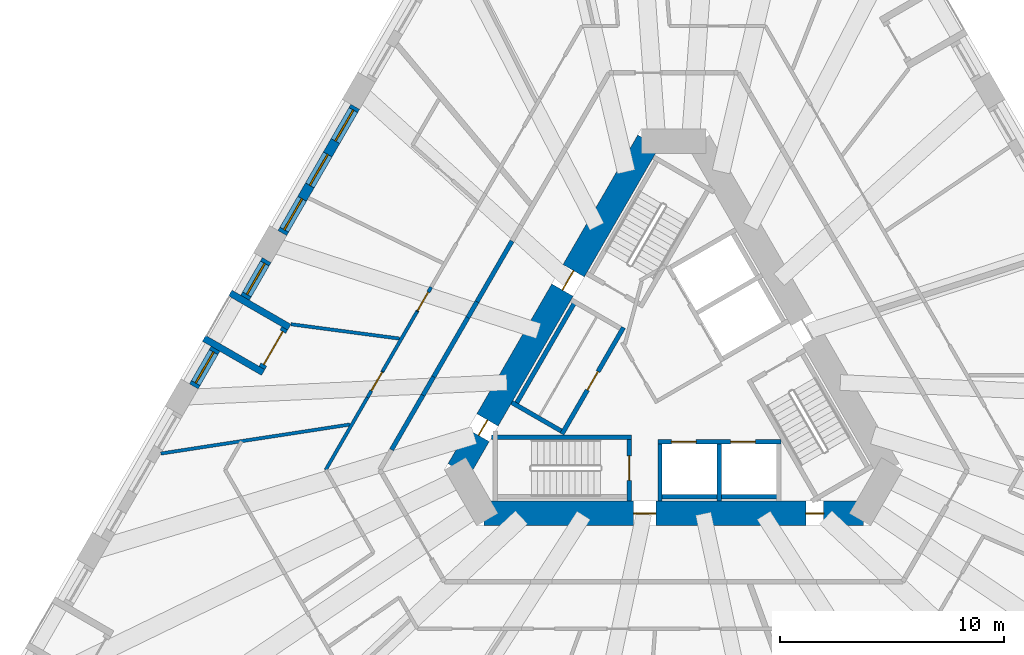
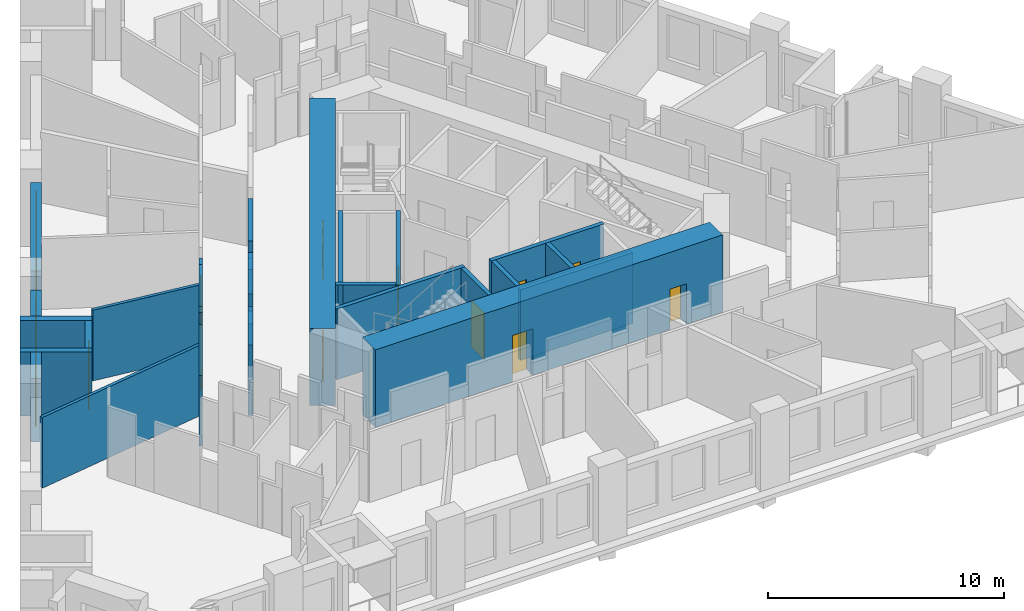
# One storey, part 4 of 14: 28 walls, 11 doors, 5 windows, 16 openings.
"""IFC4 building model written with IfcOpenShell, lengths in metres."""

import ifcopenshell
import ifcopenshell.guid

model = None  # the IFC model being written
_history = None  # IfcOwnerHistory: only IFC2X3 demands one
_inside = {}  # id of a spatial element -> (the spatial element, [elements in it])
_under = {}  # id of a project, library or spatial element -> (it, [spatial elements below it])
_declared = {}  # id of a project -> (the project, [libraries it declares])
_typed = {}  # id of a type object -> (the type object, [elements of that type])
_made_of = {}  # id of a material, layer set ... -> (it, [elements and type objects made of it])


def new_model(schema):
    """Start an empty IFC model of exactly this schema.

    Asked for "IFC4X3", IfcOpenShell would pick the latest addendum, in which some entities
    have other attributes; the version numbers below select the first issue.
    IFC2X3 requires an IfcOwnerHistory on every rooted entity: one is made here for all.
    """
    global model, _history
    if schema == "IFC4X3":
        model = ifcopenshell.file(schema_version=(4, 3, 0, 0))
    else:
        model = ifcopenshell.file(schema=schema)
    _inside.clear()
    _under.clear()
    _declared.clear()
    _typed.clear()
    _made_of.clear()
    _history = None
    if model.schema == "IFC2X3":
        org = make("IfcOrganization", Name="unknown")
        user = make(
            "IfcPersonAndOrganization",
            ThePerson=make("IfcPerson", FamilyName="unknown"),
            TheOrganization=org,
        )
        app = make(
            "IfcApplication",
            ApplicationDeveloper=org,
            Version="unknown",
            ApplicationFullName="unknown",
            ApplicationIdentifier="unknown",
        )
        _history = make(
            "IfcOwnerHistory",
            OwningUser=user,
            OwningApplication=app,
            ChangeAction="ADDED",
            CreationDate=0,
        )
    return model


def make(cls, **values):
    """One entity of the class cls with the attributes given. An attribute that is None is left unset."""
    return model.create_entity(
        cls, **{name: value for name, value in values.items() if value is not None}
    )


def rooted(cls, **values):
    """An entity with a GlobalId (a new one), such as an element, a storey or a relation."""
    return make(cls, GlobalId=ifcopenshell.guid.new(), OwnerHistory=_history, **values)


def si_unit(unit_type, name, prefix=None):
    """IfcSIUnit, for example si_unit("LENGTHUNIT", "METRE", prefix="MILLI")."""
    return make("IfcSIUnit", UnitType=unit_type, Prefix=prefix, Name=name)


def assignment(units):
    """IfcUnitAssignment: the units of a project."""
    return None if units is None else make("IfcUnitAssignment", Units=units)


def point(xyz):
    """IfcCartesianPoint."""
    return None if xyz is None else make("IfcCartesianPoint", Coordinates=xyz)


def direction(xyz):
    """IfcDirection."""
    return None if xyz is None else make("IfcDirection", DirectionRatios=xyz)


def frame(location, z_axis=None, x_axis=None):
    """IfcAxis2Placement3D, a coordinate frame: its origin and axes. An axis left out is left unset."""
    return make(
        "IfcAxis2Placement3D",
        Location=point(location),
        Axis=direction(z_axis),
        RefDirection=direction(x_axis),
    )


def frame_2d(location, x_axis=None):
    """IfcAxis2Placement2D, a coordinate frame in the plane: its origin and x axis."""
    return make(
        "IfcAxis2Placement2D", Location=point(location), RefDirection=direction(x_axis)
    )


def origin():
    """The frame at (0, 0, 0) with its axes left unset."""
    return frame((0.0, 0.0, 0.0))


def place(relative_to, where):
    """IfcLocalPlacement: puts the frame where relative to a parent placement (None: the world)."""
    return make(
        "IfcLocalPlacement", PlacementRelTo=relative_to, RelativePlacement=where
    )


def context(
    kind, dimensions, precision=None, world=None, true_north=None, identifier=None
):
    """IfcGeometricRepresentationContext, for example the 3D "Model" context."""
    return make(
        "IfcGeometricRepresentationContext",
        ContextIdentifier=identifier,
        ContextType=kind,
        CoordinateSpaceDimension=dimensions,
        Precision=precision,
        WorldCoordinateSystem=world,
        TrueNorth=true_north,
    )


def subcontext(parent, identifier, kind, view, scale=None):
    """IfcGeometricRepresentationSubContext, for example "Body" below "Model"."""
    return make(
        "IfcGeometricRepresentationSubContext",
        ContextIdentifier=identifier,
        ContextType=kind,
        ParentContext=parent,
        TargetScale=scale,
        TargetView=view,
    )


def project(units=None, contexts=None):
    """IfcProject with its units and contexts."""
    return rooted(
        "IfcProject",
        Name="project",
        RepresentationContexts=contexts,
        UnitsInContext=assignment(units),
    )


def spatial(cls, under=None, at=None, **own):
    """A site, building, storey or space (cls), placed at a placement, below another one or the project."""
    s = rooted(cls, ObjectPlacement=at, **own)
    if under is not None:
        _under.setdefault(under.id(), (under, []))[1].append(s)
    return s


def polyline(points):
    """IfcPolyline through the points."""
    return make("IfcPolyline", Points=[point(p) for p in points])


def profile(cls, at=None, kind="AREA", **sizes):
    """A parametric profile (cls). Its sizes go by their IFC names, for example OverallWidth=200.0."""
    return make(cls, ProfileType=kind, Position=at, **sizes)


def rectangle(**sizes):
    """IfcRectangleProfileDef."""
    return profile("IfcRectangleProfileDef", **sizes)


def outline(outer, holes=None, kind="AREA"):
    """IfcArbitraryClosedProfileDef: a profile drawn as a closed curve; with holes, ...WithVoids."""
    if holes is None:
        return make("IfcArbitraryClosedProfileDef", ProfileType=kind, OuterCurve=outer)
    return make(
        "IfcArbitraryProfileDefWithVoids",
        ProfileType=kind,
        OuterCurve=outer,
        InnerCurves=holes,
    )


def extrude(swept, where, along, depth):
    """IfcExtrudedAreaSolid: the profile swept, set in the frame where, extruded along a direction by depth."""
    return make(
        "IfcExtrudedAreaSolid",
        SweptArea=swept,
        Position=where,
        ExtrudedDirection=direction(along),
        Depth=depth,
    )


def shape(context_of_items, identifier, shape_type, items):
    """IfcShapeRepresentation: the items that make up one representation, for example the "Body"."""
    return make(
        "IfcShapeRepresentation",
        ContextOfItems=context_of_items,
        RepresentationIdentifier=identifier,
        RepresentationType=shape_type,
        Items=items,
    )


def material(Name=None, Category=None):
    """IfcMaterial."""
    return make("IfcMaterial", Name=Name, Category=Category)


def layer(
    of_material, thickness, ventilated=None, Name=None, Category=None, Priority=None
):
    """IfcMaterialLayer: one layer of a wall or slab, of a material (None: an air gap)."""
    return make(
        "IfcMaterialLayer",
        Material=of_material,
        LayerThickness=thickness,
        IsVentilated=ventilated,
        Name=Name,
        Category=Category,
        Priority=Priority,
    )


def layer_set(layers, Name=None):
    """IfcMaterialLayerSet."""
    return make("IfcMaterialLayerSet", MaterialLayers=layers, LayerSetName=Name)


def made_of(thing, what):
    """Note that an element or type object is made of a material, layer set ...; save() writes the relation."""
    if what is not None:
        _made_of.setdefault(what.id(), (what, []))[1].append(thing)
    return thing


def type_object(cls, material=None, **own):
    """A type object (cls), such as IfcWallType, which elements share."""
    return made_of(rooted(cls, **own), material)


def element(
    cls,
    number,
    at=None,
    inside=None,
    cuts=None,
    type_object=None,
    material=None,
    context=None,
    identifier="Body",
    shape_type=None,
    held_by="IfcProductDefinitionShape",
    body=None,
    shapes=None,
    **own,
):
    """One element of the class cls, such as IfcWall. Its Tag is "e" and its number.

    at: its placement. inside: the storey or other place that contains it. cuts: it is an
    opening in that element (IfcRelVoidsElement). A single representation is given by context,
    identifier, shape_type and body (its items); several are given by shapes. held_by: the class
    of the entity that holds the representations. save() writes the other relations.
    """
    e = rooted(cls, Tag="e%d" % number, ObjectPlacement=at, **own)
    if body is not None:
        shapes = [shape(context, identifier, shape_type, body)]
    if shapes is not None:
        e.Representation = make(held_by, Representations=shapes)
    if inside is not None:
        _inside.setdefault(inside.id(), (inside, []))[1].append(e)
    if cuts is not None:
        rooted(
            "IfcRelVoidsElement", RelatingBuildingElement=cuts, RelatedOpeningElement=e
        )
    if type_object is not None:
        _typed.setdefault(type_object.id(), (type_object, []))[1].append(e)
    return made_of(e, material)


def fill(opening, filler):
    """IfcRelFillsElement: the door or window that sits in an opening."""
    return rooted(
        "IfcRelFillsElement",
        RelatingOpeningElement=opening,
        RelatedBuildingElement=filler,
    )


def aggregate(whole, parts):
    """IfcRelAggregates: a whole, such as a stair, and the parts it consists of."""
    return rooted("IfcRelAggregates", RelatingObject=whole, RelatedObjects=parts)


def save(model, path):
    """Write the relations noted so far, then the file.

    IfcRelAggregates (storeys below a building ...), IfcRelContainedInSpatialStructure (elements
    in a storey), IfcRelDefinesByType, IfcRelAssociatesMaterial and IfcRelDeclares: one each for
    every whole, place, type object, material and project.
    """
    for whole, parts in _under.values():
        aggregate(whole, parts)
    for where, things in _inside.values():
        rooted(
            "IfcRelContainedInSpatialStructure",
            RelatedElements=things,
            RelatingStructure=where,
        )
    for kind, things in _typed.values():
        rooted("IfcRelDefinesByType", RelatedObjects=things, RelatingType=kind)
    for what, things in _made_of.values():
        rooted("IfcRelAssociatesMaterial", RelatedObjects=things, RelatingMaterial=what)
    for by, libraries in _declared.values():
        rooted("IfcRelDeclares", RelatingContext=by, RelatedDefinitions=libraries)
    model.write(path)


model = new_model("IFC4")

# Units and contexts
model_context = context("Model", 3, precision=1e-05, world=origin(), true_north=direction((0.0, 1.0)))
body_context = subcontext(model_context, "Body", "Model", "MODEL_VIEW")
ifc_project = project(units=[si_unit("LENGTHUNIT", "METRE"), si_unit("AREAUNIT", "SQUARE_METRE"), si_unit("VOLUMEUNIT", "CUBIC_METRE"), si_unit("PLANEANGLEUNIT", "RADIAN"), si_unit("MASSUNIT", "GRAM", prefix="KILO")], contexts=[model_context])

# Site, building, storey
site_placement = place(None, origin())
site = spatial("IfcSite", under=ifc_project, at=site_placement, CompositionType="ELEMENT")
building_placement = place(site_placement, origin())
building = spatial("IfcBuilding", under=site, at=building_placement, Name="Tramontana Tower", CompositionType="ELEMENT")
storey_placement = place(building_placement, frame((0.0, 0.0, 42.0)))
storey = spatial("IfcBuildingStorey", under=building, at=storey_placement, Name="L08", CompositionType="ELEMENT", Elevation=42.0)

# Wall, openings, doors
ifc_material_1 = material(Name="Concrete 70 MPa", Category="concrete")
ifc_layer_1 = layer(ifc_material_1, 1.10009765625)
ifc_layer_set_1 = layer_set([ifc_layer_1], Name="Core wall 1100 70 MPa")
wall_type_1 = type_object("IfcWallType", Name="Core wall 1100 70 MPa", PredefinedType="SHEAR", material=ifc_layer_set_1)
wall_1_placement = place(storey_placement, frame((-1.125732421875, 10.449951171875, 0.0), z_axis=(0.0, 0.0, 1.0), x_axis=(-0.500001757713, -0.866024388966, 0.0)))
wall_1 = element("IfcWall", 1, at=wall_1_placement, inside=storey, type_object=wall_type_1, Name="Core wall C1 L08", PredefinedType="SHEAR", context=body_context, shape_type="SweptSolid", body=[
    extrude(rectangle(XDim=16.97412109375, YDim=1.10009765625, at=frame_2d((8.487060546875, 0.0))), origin(), (0.0, 0.0, 1.0), 4.0),
])
opening_1_placement = place(wall_1_placement, frame((6.692138671875, 0.0, 0.0)))
opening_1 = element("IfcOpeningElement", 2, at=opening_1_placement, cuts=wall_1, Name="Opening RG1", PredefinedType="OPENING", context=body_context, shape_type="SweptSolid", body=[
    extrude(rectangle(XDim=1.0, YDim=2.39990234375, at=frame_2d((0.5, 1.199951171875))), frame((0.0, 0.56005859375, 0.0), z_axis=(0.0, -1.0, 0.0), x_axis=(1.0, 0.0, 0.0)), (0.0, 0.0, 1.0), 1.1201171875),
])
opening_2_placement = place(wall_1_placement, frame((14.397216796875, 0.0, 0.0)))
opening_2 = element("IfcOpeningElement", 3, at=opening_2_placement, cuts=wall_1, Name="Opening PD1", PredefinedType="OPENING", context=body_context, shape_type="SweptSolid", body=[
    extrude(rectangle(XDim=0.800048828125, YDim=2.10009765625, at=frame_2d((0.39990234375, 1.050048828125))), frame((0.0, 0.56005859375, 0.0), z_axis=(0.0, -1.0, 0.0), x_axis=(1.0, 0.0, 0.0)), (0.0, 0.0, 1.0), 1.1201171875),
])
ifc_material_2 = material(Name="Painted steel", Category="steel")
door_type_1 = type_object("IfcDoorType", Name="CUPBOARD DOOR 800", OperationType="SINGLE_SWING_LEFT", PredefinedType="DOOR", material=ifc_material_2)
door_1_placement = place(opening_2_placement, origin())
door_1 = element("IfcDoor", 4, at=door_1_placement, inside=storey, type_object=door_type_1, Name="Door PD1", OperationType="SINGLE_SWING_LEFT", OverallHeight=2.10009765625, OverallWidth=0.800048828125, PredefinedType="DOOR", context=body_context, shape_type="SweptSolid", body=[
    extrude(rectangle(XDim=0.800048828125, YDim=2.10009765625, at=frame_2d((0.39990234375, 1.050048828125))), frame((0.0, 0.02490234375, 0.0), z_axis=(0.0, -1.0, 0.0), x_axis=(1.0, 0.0, 0.0)), (0.0, 0.0, 1.0), 0.050048828125),
])
fill(opening_2, door_1)
ifc_material_3 = material(Name="Painted steel", Category="steel")
door_type_2 = type_object("IfcDoorType", Name="RING DOOR 1000", OperationType="SINGLE_SWING_LEFT", PredefinedType="DOOR", material=ifc_material_3)
door_2_placement = place(opening_1_placement, origin())
door_2 = element("IfcDoor", 5, at=door_2_placement, inside=storey, type_object=door_type_2, Name="Door RG1", OperationType="SINGLE_SWING_RIGHT", OverallHeight=2.39990234375, OverallWidth=1.0, PredefinedType="DOOR", context=body_context, shape_type="SweptSolid", body=[
    extrude(rectangle(XDim=1.0, YDim=2.39990234375, at=frame_2d((0.5, 1.199951171875))), frame((0.0, 0.02490234375, 0.0), z_axis=(0.0, -1.0, 0.0), x_axis=(1.0, 0.0, 0.0)), (0.0, 0.0, 1.0), 0.050048828125),
])
fill(opening_1, door_2)

wall_2_placement = place(storey_placement, frame((-8.487060546875, -6.199951171875, 0.0), z_axis=(0.0, 0.0, 1.0), x_axis=(1.0, 0.0, 0.0)))
wall_2 = element("IfcWall", 6, at=wall_2_placement, inside=storey, type_object=wall_type_1, Name="Core wall C3 L08", PredefinedType="SHEAR", context=body_context, shape_type="SweptSolid", body=[
    extrude(rectangle(XDim=16.97412109375, YDim=1.10009765625, at=frame_2d((8.487060546875, 0.0))), origin(), (0.0, 0.0, 1.0), 4.0),
])
opening_3_placement = place(wall_2_placement, frame((6.69189453125, 0.0, 0.0)))
opening_3 = element("IfcOpeningElement", 7, at=opening_3_placement, cuts=wall_2, Name="Opening RG2", PredefinedType="OPENING", context=body_context, shape_type="SweptSolid", body=[
    extrude(rectangle(XDim=1.0, YDim=2.39990234375, at=frame_2d((0.5, 1.199951171875))), frame((0.0, 0.56005859375, 0.0), z_axis=(0.0, -1.0, 0.0), x_axis=(1.0, 0.0, 0.0)), (0.0, 0.0, 1.0), 1.1201171875),
])
opening_4_placement = place(wall_2_placement, frame((14.39697265625, 0.0, 0.0)))
opening_4 = element("IfcOpeningElement", 8, at=opening_4_placement, cuts=wall_2, Name="Opening PD2", PredefinedType="OPENING", context=body_context, shape_type="SweptSolid", body=[
    extrude(rectangle(XDim=0.800048828125, YDim=2.10009765625, at=frame_2d((0.39990234375, 1.050048828125))), frame((0.0, 0.56005859375, 0.0), z_axis=(0.0, -1.0, 0.0), x_axis=(1.0, 0.0, 0.0)), (0.0, 0.0, 1.0), 1.1201171875),
])
door_3_placement = place(opening_4_placement, origin())
door_3 = element("IfcDoor", 9, at=door_3_placement, inside=storey, type_object=door_type_1, Name="Door PD2", OperationType="SINGLE_SWING_RIGHT", OverallHeight=2.10009765625, OverallWidth=0.800048828125, PredefinedType="DOOR", context=body_context, shape_type="SweptSolid", body=[
    extrude(rectangle(XDim=0.800048828125, YDim=2.10009765625, at=frame_2d((0.39990234375, 1.050048828125))), frame((0.0, 0.02490234375, 0.0), z_axis=(0.0, -1.0, 0.0), x_axis=(1.0, 0.0, 0.0)), (0.0, 0.0, 1.0), 0.050048828125),
])
fill(opening_4, door_3)
door_4_placement = place(opening_3_placement, origin())
door_4 = element("IfcDoor", 10, at=door_4_placement, inside=storey, type_object=door_type_2, Name="Door RG2", OperationType="SINGLE_SWING_LEFT", OverallHeight=2.39990234375, OverallWidth=1.0, PredefinedType="DOOR", context=body_context, shape_type="SweptSolid", body=[
    extrude(rectangle(XDim=1.0, YDim=2.39990234375, at=frame_2d((0.5, 1.199951171875))), frame((0.0, 0.02490234375, 0.0), z_axis=(0.0, -1.0, 0.0), x_axis=(1.0, 0.0, 0.0)), (0.0, 0.0, 1.0), 0.050048828125),
])
fill(opening_3, door_4)

# Walls
ifc_material_4 = material(Name="Blockwork", Category="masonry")
ifc_layer_2 = layer(ifc_material_4, 0.199951171875)
ifc_layer_set_2 = layer_set([ifc_layer_2], Name="ENTRY WALL 200")
wall_type_2 = type_object("IfcWallType", Name="ENTRY WALL 200", PredefinedType="SOLIDWALL", material=ifc_layer_set_2)
wall_3_placement = place(storey_placement, frame((-12.616943359375, -3.353515625, 0.0), z_axis=(0.0, 0.0, 1.0), x_axis=(0.49993514545, 0.866062844338, 0.0)))
element("IfcWall", 11, at=wall_3_placement, inside=storey, type_object=wall_type_2, Name="Wall v02-ew4-1", PredefinedType="SOLIDWALL", context=body_context, shape_type="SweptSolid", body=[
    extrude(rectangle(XDim=2.815185546875, YDim=0.199951171875, at=frame_2d((1.40771484375, 0.0))), origin(), (0.0, 0.0, 1.0), 3.64990234375),
])
wall_4_placement = place(storey_placement, frame((-11.20947265625, -0.915283203125, 0.0), z_axis=(0.0, 0.0, 1.0), x_axis=(0.500174821557, 0.865924446982, 0.0)))
element("IfcWall", 12, at=wall_4_placement, inside=storey, type_object=wall_type_2, Name="Wall v02-ew4-2", PredefinedType="SOLIDWALL", context=body_context, shape_type="SweptSolid", body=[
    extrude(rectangle(XDim=0.949951171875, YDim=0.199951171875, at=frame_2d((0.47509765625, 0.0))), origin(), (0.0, 0.0, 1.0), 2.75),
])
wall_5_placement = place(storey_placement, frame((-10.734375, -0.0927734375, 0.0), z_axis=(0.0, 0.0, 1.0), x_axis=(0.499952348839, 0.866052913447, 0.0)))
element("IfcWall", 13, at=wall_5_placement, inside=storey, type_object=wall_type_2, Name="Wall v02-ew4-3", PredefinedType="SOLIDWALL", context=body_context, shape_type="SweptSolid", body=[
    extrude(rectangle(XDim=3.064208984375, YDim=0.199951171875, at=frame_2d((1.5322265625, 0.0))), origin(), (0.0, 0.0, 1.0), 3.64990234375),
])
wall_6_placement = place(storey_placement, frame((-9.202392578125, 2.56103515625, 0.0), z_axis=(0.0, 0.0, 1.0), x_axis=(0.500118501653, 0.865956976012, 0.0)))
element("IfcWall", 14, at=wall_6_placement, inside=storey, type_object=wall_type_2, Name="Wall v02-ew4-4", PredefinedType="SOLIDWALL", context=body_context, shape_type="SweptSolid", body=[
    extrude(rectangle(XDim=0.818115234375, YDim=0.199951171875, at=frame_2d((0.4091796875, 0.0))), origin(), (0.0, 0.0, 1.0), 2.75),
])
wall_7_placement = place(storey_placement, frame((-8.793212890625, 3.26953125, 0.0), z_axis=(0.0, 0.0, 1.0), x_axis=(0.499947505232, 0.866055709532, 0.0)))
element("IfcWall", 15, at=wall_7_placement, inside=storey, type_object=wall_type_2, Name="Wall v02-ew4-5", PredefinedType="SOLIDWALL", context=body_context, shape_type="SweptSolid", body=[
    extrude(rectangle(XDim=3.130126953125, YDim=0.199951171875, at=frame_2d((1.56494140625, 0.0))), origin(), (0.0, 0.0, 1.0), 3.64990234375),
])

# Wall, openings, windows
ifc_material_5 = material(Name="Precast concrete 60 MPa", Category="concrete")
ifc_layer_3 = layer(ifc_material_5, 0.449951171875)
ifc_layer_set_3 = layer_set([ifc_layer_3], Name="Precast concrete 60 MPa, 450 mm")
wall_type_3 = type_object("IfcWallType", Name="EW1 Stone-faced precast wall 450", PredefinedType="SOLIDWALL", material=ifc_layer_set_3)
wall_8_placement = place(storey_placement, frame((-14.240478515625, 11.98486328125, 0.0), z_axis=(0.0, 0.0, 1.0), x_axis=(-0.500002371706, -0.866024034475, 0.0)))
wall_8 = element("IfcWall", 16, at=wall_8_placement, inside=storey, type_object=wall_type_3, Name="External wall L08 face 0 bay 4", PredefinedType="SOLIDWALL", context=body_context, shape_type="SweptSolid", body=[
    extrude(rectangle(XDim=6.51806640625, YDim=0.449951171875, at=frame_2d((3.259033203125, 0.0))), origin(), (0.0, 0.0, 1.0), 3.300048828125),
])
opening_5_placement = place(wall_8_placement, frame((0.169677734375, 0.0, 0.699951171875)))
opening_5 = element("IfcOpeningElement", 17, at=opening_5_placement, cuts=wall_8, Name="Opening M1", PredefinedType="OPENING", context=body_context, shape_type="SweptSolid", body=[
    extrude(rectangle(XDim=1.60009765625, YDim=2.300048828125, at=frame_2d((0.800048828125, 1.14990234375))), frame((0.0, 0.23486328125, 0.0), z_axis=(0.0, -1.0, 0.0), x_axis=(1.0, 0.0, 0.0)), (0.0, 0.0, 1.0), 0.469970703125),
])
opening_6_placement = place(wall_8_placement, frame((2.458984375, 0.0, 0.699951171875)))
opening_6 = element("IfcOpeningElement", 18, at=opening_6_placement, cuts=wall_8, Name="Opening M1", PredefinedType="OPENING", context=body_context, shape_type="SweptSolid", body=[
    extrude(rectangle(XDim=1.60009765625, YDim=2.300048828125, at=frame_2d((0.800048828125, 1.14990234375))), frame((0.0, 0.23486328125, 0.0), z_axis=(0.0, -1.0, 0.0), x_axis=(1.0, 0.0, 0.0)), (0.0, 0.0, 1.0), 0.469970703125),
])
opening_7_placement = place(wall_8_placement, frame((4.748291015625, 0.0, 0.699951171875)))
opening_7 = element("IfcOpeningElement", 19, at=opening_7_placement, cuts=wall_8, Name="Opening M1", PredefinedType="OPENING", context=body_context, shape_type="SweptSolid", body=[
    extrude(rectangle(XDim=1.60009765625, YDim=2.300048828125, at=frame_2d((0.800048828125, 1.14990234375))), frame((0.0, 0.23486328125, 0.0), z_axis=(0.0, -1.0, 0.0), x_axis=(1.0, 0.0, 0.0)), (0.0, 0.0, 1.0), 0.469970703125),
])
ifc_material_6 = material(Name="Aluminum frame, double glazing unit", Category="aluminium")
window_type = type_object("IfcWindowType", Name="M1 Window 1.6 x 2.3", PartitioningType="SINGLE_PANEL", PredefinedType="WINDOW", material=ifc_material_6)
window_1_placement = place(opening_5_placement, origin())
window_1 = element("IfcWindow", 20, at=window_1_placement, inside=storey, type_object=window_type, Name="Window M1 L08 face 0 module 10", OverallHeight=2.300048828125, OverallWidth=1.60009765625, PartitioningType="SINGLE_PANEL", PredefinedType="WINDOW", context=body_context, shape_type="SweptSolid", body=[
    extrude(rectangle(XDim=1.60009765625, YDim=2.300048828125, at=frame_2d((0.800048828125, 1.14990234375))), frame((0.0, 0.030029296875, 0.0), z_axis=(0.0, -1.0, 0.0), x_axis=(1.0, 0.0, 0.0)), (0.0, 0.0, 1.0), 0.06005859375),
])
fill(opening_5, window_1)
window_2_placement = place(opening_6_placement, origin())
window_2 = element("IfcWindow", 21, at=window_2_placement, inside=storey, type_object=window_type, Name="Window M1 L08 face 0 module 11", OverallHeight=2.300048828125, OverallWidth=1.60009765625, PartitioningType="SINGLE_PANEL", PredefinedType="WINDOW", context=body_context, shape_type="SweptSolid", body=[
    extrude(rectangle(XDim=1.60009765625, YDim=2.300048828125, at=frame_2d((0.800048828125, 1.14990234375))), frame((0.0, 0.030029296875, 0.0), z_axis=(0.0, -1.0, 0.0), x_axis=(1.0, 0.0, 0.0)), (0.0, 0.0, 1.0), 0.06005859375),
])
fill(opening_6, window_2)
window_3_placement = place(opening_7_placement, origin())
window_3 = element("IfcWindow", 22, at=window_3_placement, inside=storey, type_object=window_type, Name="Window M1 L08 face 0 module 12", OverallHeight=2.300048828125, OverallWidth=1.60009765625, PartitioningType="SINGLE_PANEL", PredefinedType="WINDOW", context=body_context, shape_type="SweptSolid", body=[
    extrude(rectangle(XDim=1.60009765625, YDim=2.300048828125, at=frame_2d((0.800048828125, 1.14990234375))), frame((0.0, 0.030029296875, 0.0), z_axis=(0.0, -1.0, 0.0), x_axis=(1.0, 0.0, 0.0)), (0.0, 0.0, 1.0), 0.06005859375),
])
fill(opening_7, window_3)

# Wall, opening, window
wall_9_placement = place(storey_placement, frame((-18.199462890625, 5.127685546875, 0.0), z_axis=(0.0, 0.0, 1.0), x_axis=(-0.499944052521, -0.866057702667, 0.0)))
wall_9 = element("IfcWall", 23, at=wall_9_placement, inside=storey, type_object=wall_type_3, Name="External wall L08 face 0 bay 5", PredefinedType="SOLIDWALL", context=body_context, shape_type="SweptSolid", body=[
    extrude(rectangle(XDim=1.939208984375, YDim=0.449951171875, at=frame_2d((0.9697265625, 0.0))), origin(), (0.0, 0.0, 1.0), 3.300048828125),
])
opening_8_placement = place(wall_9_placement, frame((0.169677734375, 0.0, 0.699951171875)))
opening_8 = element("IfcOpeningElement", 24, at=opening_8_placement, cuts=wall_9, Name="Opening M1", PredefinedType="OPENING", context=body_context, shape_type="SweptSolid", body=[
    extrude(rectangle(XDim=1.60009765625, YDim=2.300048828125, at=frame_2d((0.800048828125, 1.14990234375))), frame((0.0, 0.23486328125, 0.0), z_axis=(0.0, -1.0, 0.0), x_axis=(1.0, 0.0, 0.0)), (0.0, 0.0, 1.0), 0.469970703125),
])
window_4_placement = place(opening_8_placement, origin())
window_4 = element("IfcWindow", 25, at=window_4_placement, inside=storey, type_object=window_type, Name="Window M1 L08 face 0 module 13", OverallHeight=2.300048828125, OverallWidth=1.60009765625, PartitioningType="SINGLE_PANEL", PredefinedType="WINDOW", context=body_context, shape_type="SweptSolid", body=[
    extrude(rectangle(XDim=1.60009765625, YDim=2.300048828125, at=frame_2d((0.800048828125, 1.14990234375))), frame((0.0, 0.030029296875, 0.0), z_axis=(0.0, -1.0, 0.0), x_axis=(1.0, 0.0, 0.0)), (0.0, 0.0, 1.0), 0.06005859375),
])
fill(opening_8, window_4)

wall_10_placement = place(storey_placement, frame((-20.48876953125, 1.16259765625, 0.0), z_axis=(0.0, 0.0, 1.0), x_axis=(-0.49998396455, -0.866034661658, 0.0)))
wall_10 = element("IfcWall", 26, at=wall_10_placement, inside=storey, type_object=wall_type_3, Name="External wall L08 face 0 bay 5", PredefinedType="SOLIDWALL", context=body_context, shape_type="SweptSolid", body=[
    extrude(rectangle(XDim=1.939453125, YDim=0.449951171875, at=frame_2d((0.9697265625, 0.0))), origin(), (0.0, 0.0, 1.0), 3.300048828125),
])
opening_9_placement = place(wall_10_placement, frame((0.169677734375, 0.0, 0.699951171875)))
opening_9 = element("IfcOpeningElement", 27, at=opening_9_placement, cuts=wall_10, Name="Opening M1", PredefinedType="OPENING", context=body_context, shape_type="SweptSolid", body=[
    extrude(rectangle(XDim=1.60009765625, YDim=2.300048828125, at=frame_2d((0.800048828125, 1.14990234375))), frame((0.0, 0.23486328125, 0.0), z_axis=(0.0, -1.0, 0.0), x_axis=(1.0, 0.0, 0.0)), (0.0, 0.0, 1.0), 0.469970703125),
])
window_5_placement = place(opening_9_placement, origin())
window_5 = element("IfcWindow", 28, at=window_5_placement, inside=storey, type_object=window_type, Name="Window M1 L08 face 0 module 15", OverallHeight=2.300048828125, OverallWidth=1.60009765625, PartitioningType="SINGLE_PANEL", PredefinedType="WINDOW", context=body_context, shape_type="SweptSolid", body=[
    extrude(rectangle(XDim=1.60009765625, YDim=2.300048828125, at=frame_2d((0.800048828125, 1.14990234375))), frame((0.0, 0.030029296875, 0.0), z_axis=(0.0, -1.0, 0.0), x_axis=(1.0, 0.0, 0.0)), (0.0, 0.0, 1.0), 0.06005859375),
])
fill(opening_9, window_5)

# Wall, opening, door
ifc_material_7 = material(Name="Precast concrete 60 MPa", Category="concrete")
ifc_layer_4 = layer(ifc_material_7, 0.300048828125)
ifc_layer_set_4 = layer_set([ifc_layer_4], Name="LW1 Stone-faced loggia wall 300")
wall_type_4 = type_object("IfcWallType", Name="LW1 Stone-faced loggia wall 300", PredefinedType="SOLIDWALL", material=ifc_layer_set_4)
wall_11_placement = place(storey_placement, frame((-17.39208984375, 2.075927734375, 0.0), z_axis=(0.0, 0.0, 1.0), x_axis=(-0.500040236659, -0.866002171892, 0.0)))
wall_11 = element("IfcWall", 29, at=wall_11_placement, inside=storey, type_object=wall_type_4, Name="Loggia wall L08 G0S0.13", PredefinedType="SOLIDWALL", context=body_context, shape_type="SweptSolid", body=[
    extrude(rectangle(XDim=2.039306640625, YDim=0.300048828125, at=frame_2d((1.01953125, 0.0))), origin(), (0.0, 0.0, 1.0), 3.300048828125),
])
opening_10_placement = place(wall_11_placement, frame((0.169677734375, 0.0, 0.0)))
opening_10 = element("IfcOpeningElement", 30, at=opening_10_placement, cuts=wall_11, Name="Opening BD-0S0-13", PredefinedType="OPENING", context=body_context, shape_type="SweptSolid", body=[
    extrude(rectangle(XDim=1.699951171875, YDim=2.39990234375, at=frame_2d((0.85009765625, 1.199951171875))), frame((0.0, 0.159912109375, 0.0), z_axis=(0.0, -1.0, 0.0), x_axis=(1.0, 0.0, 0.0)), (0.0, 0.0, 1.0), 0.320068359375),
])
ifc_material_8 = material(Name="Aluminum frame, double glazing unit", Category="aluminium")
door_type_3 = type_object("IfcDoorType", Name="BD1 Sliding door 1.7 x 2.4", OperationType="SLIDING_TO_LEFT", PredefinedType="DOOR", material=ifc_material_8)
door_5_placement = place(opening_10_placement, origin())
door_5 = element("IfcDoor", 31, at=door_5_placement, inside=storey, type_object=door_type_3, Name="Loggia door L08 G0S0.13", OperationType="SLIDING_TO_LEFT", OverallHeight=2.39990234375, OverallWidth=1.699951171875, PredefinedType="DOOR", context=body_context, shape_type="SweptSolid", body=[
    extrude(rectangle(XDim=1.699951171875, YDim=2.39990234375, at=frame_2d((0.85009765625, 1.199951171875))), frame((0.0, 0.02490234375, 0.0), z_axis=(0.0, -1.0, 0.0), x_axis=(1.0, 0.0, 0.0)), (0.0, 0.0, 1.0), 0.050048828125),
])
fill(opening_10, door_5)

# Walls
for number, where, z_axis, x_axis, name in (
    (32, (-19.82861328125, 3.65576171875, 0.0), (0.0, 0.0, 1.0), (0.866037623948, -0.499978833458, 0.0), "Loggia return L08 G0S0.13a"),
    (33, (-20.998291015625, 1.6298828125, 0.0), (0.0, 0.0, 1.0), (0.866037623948, -0.499978833458, 0.0), "Loggia return L08 G0S0.13b"),
):
    element("IfcWall", number, at=place(storey_placement, frame(where, z_axis=z_axis, x_axis=x_axis)), inside=storey, type_object=wall_type_4, Name=name, PredefinedType="SOLIDWALL", context=body_context, shape_type="SweptSolid", body=[
        extrude(rectangle(XDim=3.050048828125, YDim=0.300048828125, at=frame_2d((1.52490234375, 0.0))), origin(), (0.0, 0.0, 1.0), 3.300048828125),
    ])
ifc_material_9 = material(Name="Gypsum board partition")
ifc_layer_5 = layer(ifc_material_9, 0.14990234375)
ifc_layer_set_5 = layer_set([ifc_layer_5], Name="PARTITION 150")
wall_type_5 = type_object("IfcWallType", Name="PARTITION 150", PredefinedType="PARTITIONING", material=ifc_layer_set_5)
wall_12_placement = place(storey_placement, frame((-22.93310546875, -3.521484375, 0.0), z_axis=(0.0, 0.0, 1.0), x_axis=(0.988416186742, 0.15176772314, 0.0)))
element("IfcWall", 34, at=wall_12_placement, inside=storey, type_object=wall_type_5, Name="Wall v02-pw00", PredefinedType="PARTITIONING", context=body_context, shape_type="SweptSolid", body=[
    extrude(rectangle(XDim=8.556396484375, YDim=0.14990234375, at=frame_2d((4.2783203125, 0.0))), origin(), (0.0, 0.0, 1.0), 3.64990234375),
])
wall_13_placement = place(storey_placement, frame((-17.1123046875, 2.2607421875, 0.0), z_axis=(0.0, 0.0, 1.0), x_axis=(0.991386113533, -0.130971653017, 0.0)))
element("IfcWall", 35, at=wall_13_placement, inside=storey, type_object=wall_type_5, Name="Wall v02-pw02", PredefinedType="PARTITIONING", context=body_context, shape_type="SweptSolid", body=[
    extrude(rectangle(XDim=4.89697265625, YDim=0.14990234375, at=frame_2d((2.448486328125, 0.0))), origin(), (0.0, 0.0, 1.0), 3.64990234375),
])
wall_14_placement = place(storey_placement, frame((-15.5595703125, -4.25, 0.0), z_axis=(0.0, 0.0, 1.0), x_axis=(0.500007375767, 0.866021145342, 0.0)))
element("IfcWall", 36, at=wall_14_placement, inside=storey, type_object=wall_type_5, Name="Wall v02-pw08-0", PredefinedType="PARTITIONING", context=body_context, shape_type="SweptSolid", body=[
    extrude(rectangle(XDim=3.7333984375, YDim=0.14990234375, at=frame_2d((1.86669921875, 0.0))), origin(), (0.0, 0.0, 1.0), 3.64990234375),
])

# Wall, opening, door
wall_15_placement = place(storey_placement, frame((-13.69287109375, -1.016845703125, 0.0), z_axis=(0.0, 0.0, 1.0), x_axis=(0.499982862641, 0.866035297817, 0.0)))
wall_15 = element("IfcWall", 37, at=wall_15_placement, inside=storey, type_object=wall_type_5, Name="Wall v02-pw08-1", PredefinedType="PARTITIONING", context=body_context, shape_type="SweptSolid", body=[
    extrude(outline(polyline([(0.0, 0.0), (1.3525390625, 0.0), (1.352783203125, 3.64990234375), (0.920166015625, 3.64990234375), (0.920166015625, 2.75), (0.0, 2.75), (0.0, 0.0)])), frame((0.0, 0.074951171875, 0.0), z_axis=(0.0, -1.0, 0.0), x_axis=(1.0, 0.0, 0.0)), (0.0, 0.0, 1.0), 0.14990234375),
])
opening_11_placement = place(wall_15_placement, frame((0.352783203125, 0.0, 0.0)))
opening_11 = element("IfcOpeningElement", 38, at=opening_11_placement, cuts=wall_15, Name="Opening B0C-12", PredefinedType="OPENING", context=body_context, shape_type="SweptSolid", body=[
    extrude(rectangle(XDim=0.949951171875, YDim=2.39990234375, at=frame_2d((0.47509765625, 1.199951171875))), frame((0.0, 0.0849609375, 0.0), z_axis=(0.0, -1.0, 0.0), x_axis=(1.0, 0.0, 0.0)), (0.0, 0.0, 1.0), 0.169921875),
])
ifc_material_10 = material(Name="Painted timber", Category="wood")
door_type_4 = type_object("IfcDoorType", Name="DOOR ROOM 950", OperationType="SINGLE_SWING_LEFT", PredefinedType="DOOR", material=ifc_material_10)
door_6_placement = place(opening_11_placement, origin())
door_6 = element("IfcDoor", 39, at=door_6_placement, inside=storey, type_object=door_type_4, Name="Door B0C-12", OperationType="SINGLE_SWING_RIGHT", OverallHeight=2.39990234375, OverallWidth=0.949951171875, PredefinedType="DOOR", context=body_context, shape_type="SweptSolid", body=[
    extrude(rectangle(XDim=0.949951171875, YDim=2.39990234375, at=frame_2d((0.47509765625, 1.199951171875))), frame((0.0, 0.02490234375, 0.0), z_axis=(0.0, -1.0, 0.0), x_axis=(1.0, 0.0, 0.0)), (0.0, 0.0, 1.0), 0.050048828125),
])
fill(opening_11, door_6)

# Wall
wall_16_placement = place(storey_placement, frame((-13.0166015625, 0.154541015625, 0.0), z_axis=(0.0, 0.0, 1.0), x_axis=(0.499982516597, 0.866035497597, 0.0)))
element("IfcWall", 40, at=wall_16_placement, inside=storey, type_object=wall_type_5, Name="Wall v02-pw08-2", PredefinedType="PARTITIONING", context=body_context, shape_type="SweptSolid", body=[
    extrude(rectangle(XDim=3.087890625, YDim=0.14990234375, at=frame_2d((1.5439453125, 0.0))), origin(), (0.0, 0.0, 1.0), 3.64990234375),
])

# Wall, opening, door
wall_17_placement = place(storey_placement, frame((-11.47265625, 2.828857421875, 0.0), z_axis=(0.0, 0.0, 1.0), x_axis=(0.499951613713, 0.866053337818, 0.0)))
wall_17 = element("IfcWall", 41, at=wall_17_placement, inside=storey, type_object=wall_type_5, Name="Wall v02-pw08-3", PredefinedType="PARTITIONING", context=body_context, shape_type="SweptSolid", body=[
    extrude(outline(polyline([(0.0, 0.0), (1.26025390625, 0.0), (1.260498046875, 2.75), (0.468017578125, 2.75), (0.468017578125, 3.64990234375), (0.0, 3.64990234375), (0.0, 0.0)])), frame((0.0, 0.074951171875, 0.0), z_axis=(0.0, -1.0, 0.0), x_axis=(1.0, 0.0, 0.0)), (0.0, 0.0, 1.0), 0.14990234375),
])
opening_12_placement = place(wall_17_placement, frame((0.050048828125, 0.0, 0.0)))
opening_12 = element("IfcOpeningElement", 42, at=opening_12_placement, cuts=wall_17, Name="Opening B0C-13", PredefinedType="OPENING", context=body_context, shape_type="SweptSolid", body=[
    extrude(rectangle(XDim=0.949951171875, YDim=2.39990234375, at=frame_2d((0.47509765625, 1.199951171875))), frame((0.0, 0.0849609375, 0.0), z_axis=(0.0, -1.0, 0.0), x_axis=(1.0, 0.0, 0.0)), (0.0, 0.0, 1.0), 0.169921875),
])
door_7_placement = place(opening_12_placement, origin())
door_7 = element("IfcDoor", 43, at=door_7_placement, inside=storey, type_object=door_type_4, Name="Door B0C-13", OperationType="SINGLE_SWING_LEFT", OverallHeight=2.39990234375, OverallWidth=0.949951171875, PredefinedType="DOOR", context=body_context, shape_type="SweptSolid", body=[
    extrude(rectangle(XDim=0.949951171875, YDim=2.39990234375, at=frame_2d((0.47509765625, 1.199951171875))), frame((0.0, 0.02490234375, 0.0), z_axis=(0.0, -1.0, 0.0), x_axis=(1.0, 0.0, 0.0)), (0.0, 0.0, 1.0), 0.050048828125),
])
fill(opening_12, door_7)

# Walls
ifc_material_11 = material(Name="Concrete 70 MPa", Category="concrete")
ifc_layer_6 = layer(ifc_material_11, 0.199951171875)
ifc_layer_set_6 = layer_set([ifc_layer_6], Name="Concrete 70 MPa, 200 mm")
wall_type_6 = type_object("IfcWallType", Name="RC SHAFT BACK WALL 200", PredefinedType="SOLIDWALL", material=ifc_layer_set_6)
for number, where, z_axis, x_axis, name in (
    (44, (-4.36474609375, 3.33984375, 0.0), (0.0, 0.0, 1.0), (-0.499996545922, -0.866027397988, 0.0), "Wall row0-back"),
    (45, (-0.7099609375, -5.449951171875, 0.0), (0.0, 0.0, 1.0), (1.0, 0.0, 0.0), "Wall row1-back"),
):
    element("IfcWall", number, at=place(storey_placement, frame(where, z_axis=z_axis, x_axis=x_axis)), inside=storey, type_object=wall_type_6, Name=name, PredefinedType="SOLIDWALL", context=body_context, shape_type="SweptSolid", body=[
        extrude(rectangle(XDim=5.5, YDim=0.199951171875, at=frame_2d((2.75, 0.0))), origin(), (0.0, 0.0, 1.0), 3.64990234375),
    ])
ifc_material_12 = material(Name="Concrete 70 MPa", Category="concrete")
ifc_layer_7 = layer(ifc_material_12, 0.199951171875)
ifc_layer_set_7 = layer_set([ifc_layer_7], Name="Concrete 70 MPa, 200 mm")
wall_type_7 = type_object("IfcWallType", Name="RC STAIR AND SHAFT WALL 200", PredefinedType="SOLIDWALL", material=ifc_layer_set_7)
wall_18_placement = place(storey_placement, frame((-8.140625, -2.800048828125, 0.0), z_axis=(0.0, 0.0, 1.0), x_axis=(1.0, 0.0, 0.0)))
element("IfcWall", 46, at=wall_18_placement, inside=storey, type_object=wall_type_7, Name="Wall st2-front", PredefinedType="SOLIDWALL", context=body_context, shape_type="SweptSolid", body=[
    extrude(rectangle(XDim=6.2607421875, YDim=0.199951171875, at=frame_2d((3.13037109375, 0.0))), origin(), (0.0, 0.0, 1.0), 3.64990234375),
])

# Wall, opening, door
wall_19_placement = place(storey_placement, frame((-1.97998046875, -2.89990234375, 0.0), z_axis=(0.0, 0.0, 1.0), x_axis=(0.0, -1.0, 0.0)))
wall_19 = element("IfcWall", 47, at=wall_19_placement, inside=storey, type_object=wall_type_7, Name="Wall st2-near", PredefinedType="SOLIDWALL", context=body_context, shape_type="SweptSolid", body=[
    extrude(rectangle(XDim=2.75, YDim=0.199951171875, at=frame_2d((1.375, 0.0))), origin(), (0.0, 0.0, 1.0), 3.64990234375),
])
opening_13_placement = place(wall_19_placement, frame((0.72509765625, 0.0, 0.0)))
opening_13 = element("IfcOpeningElement", 48, at=opening_13_placement, cuts=wall_19, Name="Opening SD2", PredefinedType="OPENING", context=body_context, shape_type="SweptSolid", body=[
    extrude(rectangle(XDim=1.10009765625, YDim=2.39990234375, at=frame_2d((0.550048828125, 1.199951171875))), frame((0.0, 0.10986328125, 0.0), z_axis=(0.0, -1.0, 0.0), x_axis=(1.0, 0.0, 0.0)), (0.0, 0.0, 1.0), 0.219970703125),
])
ifc_material_13 = material(Name="Painted steel", Category="steel")
door_type_5 = type_object("IfcDoorType", Name="STAIR DOOR 1100", OperationType="SINGLE_SWING_LEFT", PredefinedType="DOOR", material=ifc_material_13)
door_8_placement = place(opening_13_placement, origin())
door_8 = element("IfcDoor", 49, at=door_8_placement, inside=storey, type_object=door_type_5, Name="Door SD2", OperationType="SINGLE_SWING_LEFT", OverallHeight=2.39990234375, OverallWidth=1.10009765625, PredefinedType="DOOR", context=body_context, shape_type="SweptSolid", body=[
    extrude(rectangle(XDim=1.10009765625, YDim=2.39990234375, at=frame_2d((0.550048828125, 1.199951171875))), frame((0.0, 0.02490234375, 0.0), z_axis=(0.0, -1.0, 0.0), x_axis=(1.0, 0.0, 0.0)), (0.0, 0.0, 1.0), 0.050048828125),
])
fill(opening_13, door_8)

wall_20_placement = place(storey_placement, frame((-4.9931640625, -2.648193359375, 0.0), z_axis=(0.0, 0.0, 1.0), x_axis=(0.499996545922, 0.866027397988, 0.0)))
wall_20 = element("IfcWall", 50, at=wall_20_placement, inside=storey, type_object=wall_type_7, Name="Wall row0-front", PredefinedType="SOLIDWALL", context=body_context, shape_type="SweptSolid", body=[
    extrude(rectangle(XDim=5.5, YDim=0.199951171875, at=frame_2d((2.75, 0.0))), origin(), (0.0, 0.0, 1.0), 3.64990234375),
])
opening_14_placement = place(wall_20_placement, frame((2.27490234375, 0.0, 0.0)))
opening_14 = element("IfcOpeningElement", 51, at=opening_14_placement, cuts=wall_20, Name="Opening RD-0A", PredefinedType="OPENING", context=body_context, shape_type="SweptSolid", body=[
    extrude(rectangle(XDim=0.949951171875, YDim=2.39990234375, at=frame_2d((0.47509765625, 1.199951171875))), frame((0.0, 0.10986328125, 0.0), z_axis=(0.0, -1.0, 0.0), x_axis=(1.0, 0.0, 0.0)), (0.0, 0.0, 1.0), 0.219970703125),
])
door_9_placement = place(opening_14_placement, origin())
door_9 = element("IfcDoor", 52, at=door_9_placement, inside=storey, type_object=door_type_4, Name="Door RD-0A", OperationType="SINGLE_SWING_LEFT", OverallHeight=2.39990234375, OverallWidth=0.949951171875, PredefinedType="DOOR", context=body_context, shape_type="SweptSolid", body=[
    extrude(rectangle(XDim=0.949951171875, YDim=2.39990234375, at=frame_2d((0.47509765625, 1.199951171875))), frame((0.0, 0.02490234375, 0.0), z_axis=(0.0, -1.0, 0.0), x_axis=(1.0, 0.0, 0.0)), (0.0, 0.0, 1.0), 0.050048828125),
])
fill(opening_14, door_9)

# Wall
wall_21_placement = place(storey_placement, frame((-5.02978515625, -2.51171875, 0.0), z_axis=(0.0, 0.0, 1.0), x_axis=(-0.865989465428, 0.500062241894, 0.0)))
element("IfcWall", 53, at=wall_21_placement, inside=storey, type_object=wall_type_7, Name="Wall row0-side2", PredefinedType="SOLIDWALL", context=body_context, shape_type="SweptSolid", body=[
    extrude(rectangle(XDim=2.550048828125, YDim=0.199951171875, at=frame_2d((1.27490234375, 0.0))), origin(), (0.0, 0.0, 1.0), 3.64990234375),
])

# Wall, openings, doors
wall_22_placement = place(storey_placement, frame((-0.7099609375, -3.0, 0.0), z_axis=(0.0, 0.0, 1.0), x_axis=(1.0, 0.0, 0.0)))
wall_22 = element("IfcWall", 54, at=wall_22_placement, inside=storey, type_object=wall_type_7, Name="Wall row1-front", PredefinedType="SOLIDWALL", context=body_context, shape_type="SweptSolid", body=[
    extrude(rectangle(XDim=5.5, YDim=0.199951171875, at=frame_2d((2.75, 0.0))), origin(), (0.0, 0.0, 1.0), 3.64990234375),
])
opening_15_placement = place(wall_22_placement, frame((0.610107421875, 0.0, 0.0)))
opening_15 = element("IfcOpeningElement", 55, at=opening_15_placement, cuts=wall_22, Name="Opening LD-S1", PredefinedType="OPENING", context=body_context, shape_type="SweptSolid", body=[
    extrude(rectangle(XDim=1.10009765625, YDim=2.10009765625, at=frame_2d((0.550048828125, 1.050048828125))), frame((0.0, 0.10986328125, 0.0), z_axis=(0.0, -1.0, 0.0), x_axis=(1.0, 0.0, 0.0)), (0.0, 0.0, 1.0), 0.219970703125),
])
opening_16_placement = place(wall_22_placement, frame((3.260009765625, 0.0, 0.0)))
opening_16 = element("IfcOpeningElement", 56, at=opening_16_placement, cuts=wall_22, Name="Opening LD-S2", PredefinedType="OPENING", context=body_context, shape_type="SweptSolid", body=[
    extrude(rectangle(XDim=1.10009765625, YDim=2.10009765625, at=frame_2d((0.550048828125, 1.050048828125))), frame((0.0, 0.10986328125, 0.0), z_axis=(0.0, -1.0, 0.0), x_axis=(1.0, 0.0, 0.0)), (0.0, 0.0, 1.0), 0.219970703125),
])
ifc_material_14 = material(Name="Brushed steel", Category="steel")
door_type_6 = type_object("IfcDoorType", Name="LANDING DOOR 1100", OperationType="SINGLE_SWING_LEFT", PredefinedType="DOOR", material=ifc_material_14)
door_10_placement = place(opening_15_placement, origin())
door_10 = element("IfcDoor", 57, at=door_10_placement, inside=storey, type_object=door_type_6, Name="Door LD-S1", OperationType="SLIDING_TO_LEFT", OverallHeight=2.10009765625, OverallWidth=1.10009765625, PredefinedType="DOOR", context=body_context, shape_type="SweptSolid", body=[
    extrude(rectangle(XDim=1.10009765625, YDim=2.10009765625, at=frame_2d((0.550048828125, 1.050048828125))), frame((0.0, 0.02490234375, 0.0), z_axis=(0.0, -1.0, 0.0), x_axis=(1.0, 0.0, 0.0)), (0.0, 0.0, 1.0), 0.050048828125),
])
fill(opening_15, door_10)
door_11_placement = place(opening_16_placement, origin())
door_11 = element("IfcDoor", 58, at=door_11_placement, inside=storey, type_object=door_type_6, Name="Door LD-S2", OperationType="SLIDING_TO_RIGHT", OverallHeight=2.10009765625, OverallWidth=1.10009765625, PredefinedType="DOOR", context=body_context, shape_type="SweptSolid", body=[
    extrude(rectangle(XDim=1.10009765625, YDim=2.10009765625, at=frame_2d((0.550048828125, 1.050048828125))), frame((0.0, 0.02490234375, 0.0), z_axis=(0.0, -1.0, 0.0), x_axis=(1.0, 0.0, 0.0)), (0.0, 0.0, 1.0), 0.050048828125),
])
fill(opening_16, door_11)

# Walls
for number, where, z_axis, x_axis, name in (
    (59, (-0.610107421875, -3.10009765625, 0.0), (0.0, 0.0, 1.0), (0.0, -1.0, 0.0), "Wall row1-side0"),
    (60, (2.0400390625, -3.10009765625, 0.0), (0.0, 0.0, 1.0), (0.0, -1.0, 0.0), "Wall row1-side1"),
):
    element("IfcWall", number, at=place(storey_placement, frame(where, z_axis=z_axis, x_axis=x_axis)), inside=storey, type_object=wall_type_7, Name=name, PredefinedType="SOLIDWALL", context=body_context, shape_type="SweptSolid", body=[
        extrude(rectangle(XDim=2.5498046875, YDim=0.199951171875, at=frame_2d((1.27490234375, 0.0))), origin(), (0.0, 0.0, 1.0), 3.64990234375),
    ])

save(model, "model.ifc")
